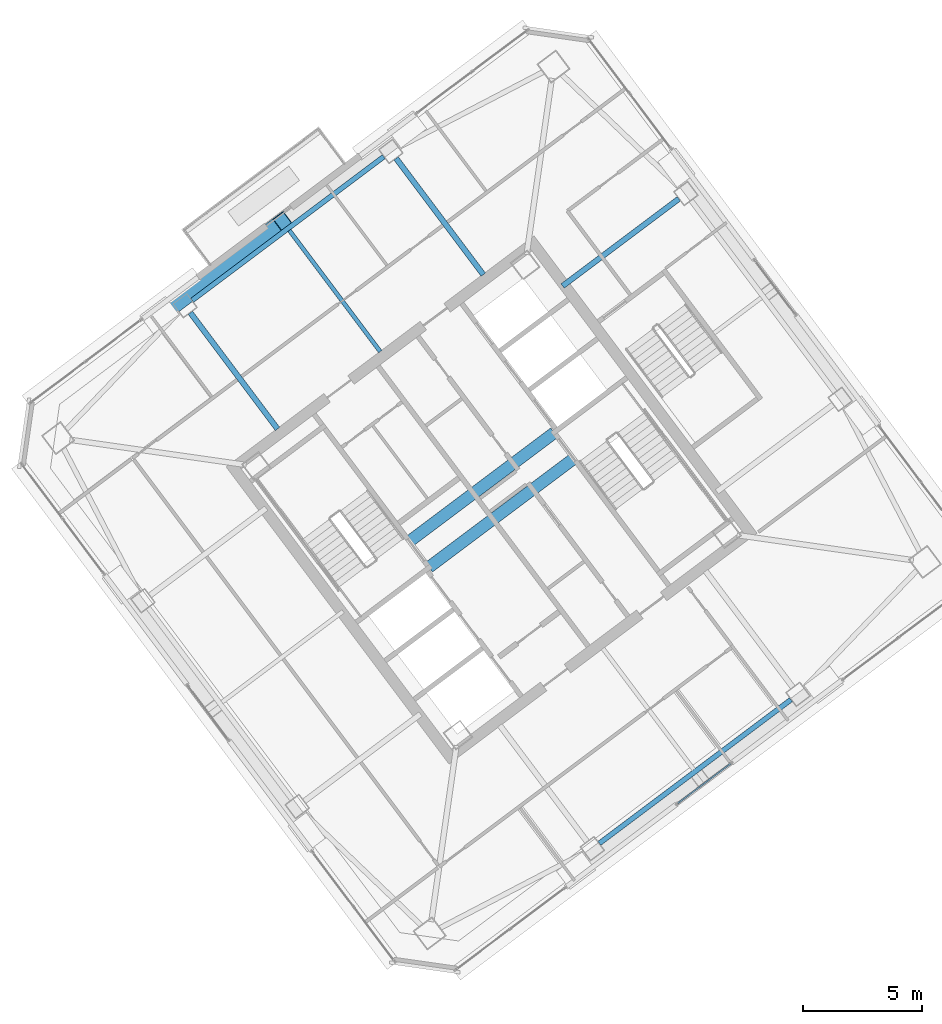
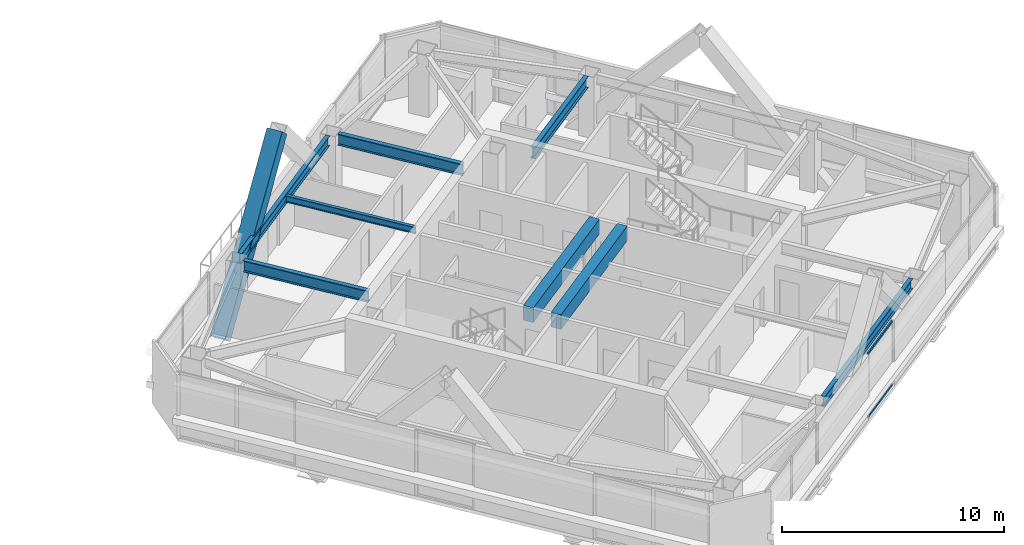
# One storey, part 22 of 39: 8 beams, 3 members, 1 element without a shape of its own.
"""IFC4 building model written with IfcOpenShell, lengths in metres."""

from ifc_helpers import new_model, si_unit, direction, frame, origin, origin_2d, place, context, subcontext, project, spatial, rectangle, hollow_rectangle, i_section, extrude, material, material_profile, profile_set, type_object, element, aggregate, save


model = new_model("IFC4")

# Units and contexts
model_context = context("Model", 3, precision=1e-05, world=origin(), true_north=direction((0.0, 1.0)))
body_context = subcontext(model_context, "Body", "Model", "MODEL_VIEW")
ifc_project = project(units=[si_unit("LENGTHUNIT", "METRE"), si_unit("AREAUNIT", "SQUARE_METRE"), si_unit("VOLUMEUNIT", "CUBIC_METRE"), si_unit("PLANEANGLEUNIT", "RADIAN"), si_unit("MASSUNIT", "GRAM", prefix="KILO")], contexts=[model_context])

# Site, building, storey
site_placement = place(None, origin())
site = spatial("IfcSite", under=ifc_project, at=site_placement, CompositionType="ELEMENT")
building_placement = place(site_placement, origin())
building = spatial("IfcBuilding", under=site, at=building_placement, Name="Tashvorn Skyway Center", CompositionType="ELEMENT")
storey_placement = place(building_placement, frame((0.0, 0.0, 239.699951171875)))
storey = spatial("IfcBuildingStorey", under=building, at=storey_placement, Name="L65", CompositionType="ELEMENT", Elevation=239.699951171875)

# Beams
ifc_material_1 = material(Name="Steel ASTM A992 Grade 50", Category="steel")
ifc_material_profile_1 = material_profile(ifc_material_1, i_section(OverallWidth=0.22998046875, OverallDepth=0.616943359375, WebThickness=0.01318359375, FlangeThickness=0.022216796875, at=origin_2d()), Name="W24X94")
ifc_profile_set_1 = profile_set([ifc_material_profile_1], Name="Steel ASTM A992 Grade 50")
beam_type_1 = type_object("IfcBeamType", Name="BM-BEAM-W24X94", PredefinedType="BEAM", material=ifc_profile_set_1)
for number, where, z_axis, x_axis, name in (
    (1, (121.864013671875, 44.64794921875, 3.0615234375), (-0.800014407953, -0.599980788915, 0.0), (0.599980788915, -0.800014407953, 0.0), "Tower 2 L65 Primary Floor Girder FC-E2"),
    (2, (109.991943359375, 46.343994140625, 3.0615234375), (0.600025614447, -0.799980788524, 0.0), (0.799980788524, 0.600025614447, 0.0), "Tower 2 L65 Primary Floor Girder FC-N1"),
    (3, (101.35205078125, 39.864013671875, 3.0615234375), (0.599980788915, -0.800014407953, 0.0), (0.800014407953, 0.599980788915, 0.0), "Tower 2 L65 Primary Floor Girder FC-N2"),
):
    element("IfcBeam", number, at=place(storey_placement, frame(where, z_axis=z_axis, x_axis=x_axis)), inside=storey, type_object=beam_type_1, Name=name, PredefinedType="BEAM", context=body_context, shape_type="SweptSolid", body=[
        extrude(i_section(OverallWidth=0.22998046875, OverallDepth=0.616943359375, WebThickness=0.01318359375, FlangeThickness=0.022216796875, at=origin_2d()), origin(), (0.0, 0.0, 1.0), 6.10009765625),
    ])
ifc_material_profile_2 = material_profile(ifc_material_1, i_section(OverallWidth=0.1708984375, OverallDepth=0.35498046875, WebThickness=0.007080078125, FlangeThickness=0.01171875, at=origin_2d()), Name="W14X34")
ifc_profile_set_2 = profile_set([ifc_material_profile_2], Name="Steel ASTM A992 Grade 50")
beam_type_2 = type_object("IfcBeamType", Name="BM-JOIST-W14X34", PredefinedType="JOIST", material=ifc_profile_set_2)
beam_placement = place(storey_placement, frame((109.325927734375, 38.23193359375, 3.192626953125), z_axis=(-0.599981581373, 0.800013813639, 0.0), x_axis=(-0.800013813639, -0.599981581373, 0.0)))
element("IfcBeam", 4, at=beam_placement, inside=storey, type_object=beam_type_2, Name="Tower 2 L65 Secondary Composite Joist JN", PredefinedType="JOIST", context=body_context, shape_type="SweptSolid", body=[
    extrude(i_section(OverallWidth=0.1708984375, OverallDepth=0.35498046875, WebThickness=0.007080078125, FlangeThickness=0.01171875, at=origin_2d()), origin(), (0.0, 0.0, 1.0), 6.362548828125),
])
ifc_material_2 = material(Name="Concrete C50/60", Category="concrete")
ifc_material_profile_3 = material_profile(ifc_material_2, rectangle(XDim=0.5, YDim=0.800048828125, at=origin_2d()), Name="RCB500x800")
ifc_profile_set_3 = profile_set([ifc_material_profile_3], Name="Concrete C50/60")
beam_type_3 = type_object("IfcBeamType", Name="BM-LINTEL-RCB500x800", PredefinedType="LINTEL", material=ifc_profile_set_3)
for number, where, z_axis, x_axis, name in (
    (5, (110.552001953125, 30.263916015625, 2.969970703125), (0.8, 0.6, 0.0), (-0.6, 0.8, 0.0), "Tower 2 L65 Core Coupling Beam CN"),
    (6, (111.367919921875, 29.176025390625, 2.969970703125), (0.8, 0.6, 0.0), (-0.6, 0.8, 0.0), "Tower 2 L65 Core Coupling Beam CS"),
):
    element("IfcBeam", number, at=place(storey_placement, frame(where, z_axis=z_axis, x_axis=x_axis)), inside=storey, type_object=beam_type_3, Name=name, PredefinedType="LINTEL", context=body_context, shape_type="SweptSolid", body=[
        extrude(rectangle(XDim=0.5, YDim=0.800048828125, at=origin_2d()), origin(), (0.0, 0.0, 1.0), 7.60009765625),
    ])
ifc_material_profile_4 = material_profile(ifc_material_1, i_section(OverallWidth=0.2109375, OverallDepth=0.5390625, WebThickness=0.01171875, FlangeThickness=0.018798828125, at=origin_2d()), Name="W21X73")
ifc_profile_set_4 = profile_set([ifc_material_profile_4], Name="Steel ASTM A992 Grade 50")
beam_type_4 = type_object("IfcBeamType", Name="BM-SPANDREL-W21X73", PredefinedType="SPANDREL", material=ifc_profile_set_4)
for number, where, z_axis, x_axis, name in (
    (7, (118.52587890625, 17.58203125, 3.1005859375), (0.800008736549, 0.599988351091, 0.0), (-0.599988351091, 0.800008736549, 0.0), "Tower 2 L65 Spandrel Beam 02"),
    (8, (109.47412109375, 46.41796875, 3.1005859375), (-0.800008736549, -0.599988351091, 0.0), (0.599988351091, -0.800008736549, 0.0), "Tower 2 L65 Spandrel Beam 08"),
):
    element("IfcBeam", number, at=place(storey_placement, frame(where, z_axis=z_axis, x_axis=x_axis)), inside=storey, type_object=beam_type_4, Name=name, PredefinedType="SPANDREL", context=body_context, shape_type="SweptSolid", body=[
        extrude(i_section(OverallWidth=0.2109375, OverallDepth=0.5390625, WebThickness=0.01171875, FlangeThickness=0.018798828125, at=origin_2d()), origin(), (0.0, 0.0, 1.0), 10.06005859375),
    ])

# Curtain wall, members
ifc_material_3 = material(Name="Thermally broken bronze-anodized aluminium 6063-T6", Category="aluminium")
curtain_wall_type = type_object("IfcCurtainWallType", Name="CW-CW-Z5", PredefinedType="NOTDEFINED", material=ifc_material_3)
curtain_wall_placement = place(storey_placement, origin())
curtain_wall = element("IfcCurtainWall", 9, at=curtain_wall_placement, inside=storey, type_object=curtain_wall_type, Name="Tower 2 L65 South Unitised Curtain Wall Glazing Group 2", PredefinedType="NOTDEFINED")
ifc_material_profile_5 = material_profile(ifc_material_3, hollow_rectangle(XDim=0.070068359375, YDim=0.114990234375, WallThickness=0.00390625, at=origin_2d()), Name="ALU-TRAN-70x115")
ifc_profile_set_5 = profile_set([ifc_material_profile_5], Name="Thermally broken bronze-anodized aluminium 6063-T6")
member_type_1 = type_object("IfcMemberType", Name="CWT-CW-Z5", PredefinedType="USERDEFINED", material=ifc_profile_set_5)
member_1_placement = place(storey_placement, frame((124.03466796875, 20.926025390625, 0.03515625), z_axis=(-0.80002117809, -0.599971761508, 0.0), x_axis=(0.599971761508, -0.80002117809, 0.0)))
member_1 = element("IfcMember", 10, at=member_1_placement, type_object=member_type_1, Name="CW-Z5 transom 1.1", ObjectType="TRANSOM", PredefinedType="USERDEFINED", context=body_context, shape_type="SweptSolid", body=[
    extrude(hollow_rectangle(XDim=0.070068359375, YDim=0.114990234375, WallThickness=0.00390625, at=origin_2d()), origin(), (0.0, 0.0, 1.0), 2.7666015625),
])
member_2_placement = place(storey_placement, frame((124.03466796875, 20.926025390625, 3.51513671875), z_axis=(-0.80002117809, -0.599971761508, 0.0), x_axis=(0.599971761508, -0.80002117809, 0.0)))
member_2 = element("IfcMember", 11, at=member_2_placement, type_object=member_type_1, Name="CW-Z5 transom 1.2", ObjectType="TRANSOM", PredefinedType="USERDEFINED", context=body_context, shape_type="SweptSolid", body=[
    extrude(hollow_rectangle(XDim=0.070068359375, YDim=0.114990234375, WallThickness=0.00390625, at=origin_2d()), origin(), (0.0, 0.0, 1.0), 2.7666015625),
])
aggregate(curtain_wall, [member_1, member_2])

# Member
ifc_material_4 = material(Name="Steel ASTM A572 Grade 50", Category="steel")
ifc_material_profile_6 = material_profile(ifc_material_4, hollow_rectangle(XDim=0.75, YDim=0.75, WallThickness=0.031982421875, at=origin_2d()), Name="BOX750x750x32")
ifc_profile_set_6 = profile_set([ifc_material_profile_6], Name="Steel ASTM A572 Grade 50")
member_type_2 = type_object("IfcMemberType", Name="MEM-MB-750", PredefinedType="BRACE", material=ifc_profile_set_6)
member_3_placement = place(storey_placement, frame((100.052001953125, 39.763916015625, -0.449951171875), z_axis=(0.536077635064, 0.402077103157, 0.742263276945), x_axis=(-0.600018028558, 0.799986478264, 0.0)))
element("IfcMember", 12, at=member_3_placement, inside=storey, type_object=member_type_2, Name="Tower 2 Zone 6 N Chevron Mega-Brace R2", PredefinedType="BRACE", context=body_context, shape_type="SweptSolid", body=[
    extrude(hollow_rectangle(XDim=0.75, YDim=0.75, WallThickness=0.031982421875, at=origin_2d()), origin(), (0.0, 0.0, 1.0), 9.699951171875),
])

save(model, "model.ifc")
